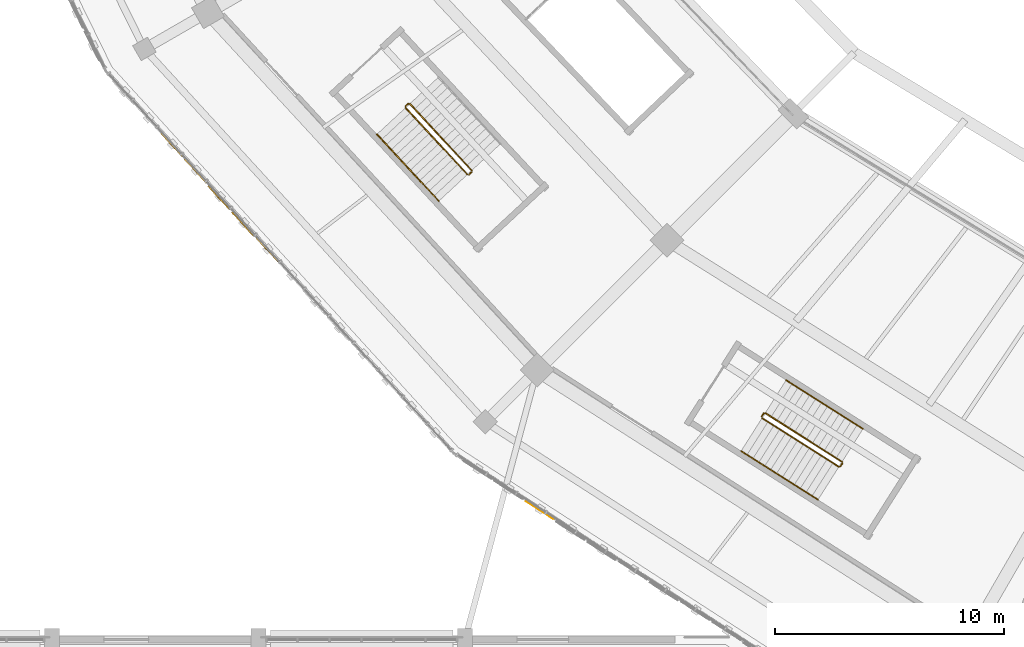
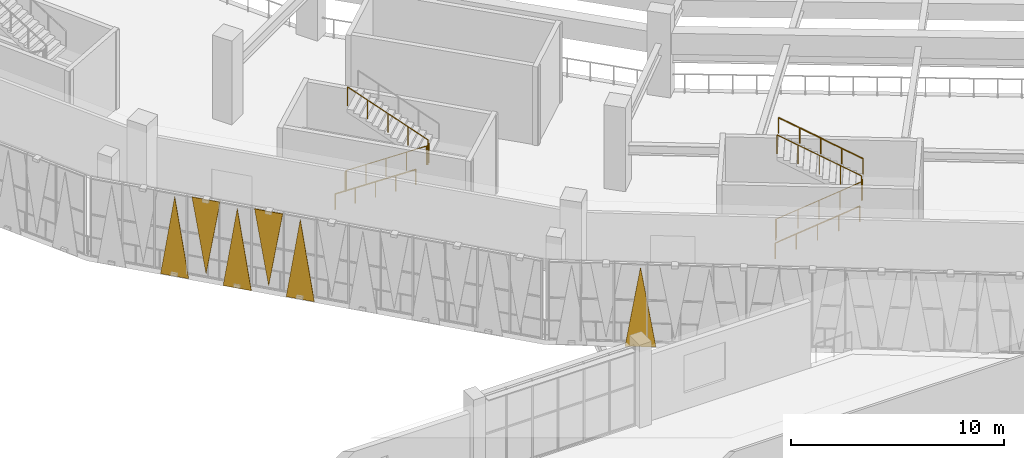
# One storey, part 129 of 179: 11 railings, 6 coverings.
"""IFC4 building model written with IfcOpenShell, lengths in metres."""

from ifc_helpers import new_model, si_unit, direction, frame, origin, origin_2d, place, context, subcontext, project, spatial, polyline, circle, outline, extrude, material, layer, layer_set, type_object, element, save


model = new_model("IFC4")

# Units and contexts
model_context = context("Model", 3, precision=1e-05, world=origin(), true_north=direction((0.0, 1.0)))
body_context = subcontext(model_context, "Body", "Model", "MODEL_VIEW")
ifc_project = project(units=[si_unit("LENGTHUNIT", "METRE"), si_unit("AREAUNIT", "SQUARE_METRE"), si_unit("VOLUMEUNIT", "CUBIC_METRE"), si_unit("PLANEANGLEUNIT", "RADIAN"), si_unit("MASSUNIT", "GRAM", prefix="KILO")], contexts=[model_context])

# Site, building, storey
site_placement = place(None, origin())
site = spatial("IfcSite", under=ifc_project, at=site_placement, CompositionType="ELEMENT")
building_placement = place(site_placement, origin())
building = spatial("IfcBuilding", under=site, at=building_placement, Name="Zevraka Park Crest Stadium", CompositionType="ELEMENT")
storey_placement = place(building_placement, frame((0.0, 0.0, 10.199951171875)))
storey = spatial("IfcBuildingStorey", under=building, at=storey_placement, Name="L02", CompositionType="ELEMENT", Elevation=10.199951171875)

# Coverings
ifc_material_1 = material(Name="Architectural golden-bronze perforated aluminium", Category="aluminium")
ifc_layer = layer(ifc_material_1, 0.034912109375)
ifc_layer_set = layer_set([ifc_layer], Name="Architectural golden-bronze perforated aluminium")
covering_type = type_object("IfcCoveringType", Name="CLD01", PredefinedType="CLADDING", material=ifc_layer_set)
covering_1_placement = place(storey_placement, frame((31.73291015625, 49.071044921875, -0.239990234375), z_axis=(-0.739525523705, -0.673128495261, 0.000169283236), x_axis=(0.673128504906, -0.739525534301, 0.0)))
element("IfcCovering", 1, at=covering_1_placement, inside=storey, type_object=covering_type, Name="Triangular Golden-Bronze Perforated Cladding L02-14-3", PredefinedType="CLADDING", context=body_context, shape_type="SweptSolid", body=[
    extrude(outline(polyline([(0.0, 0.0), (1.386221890693398, 0.0), (0.6929882508091156, 4.560058659088377), (0.0, 0.0)])), origin(), (0.0, 0.0, -1.0), 0.034912109375),
])
covering_2_placement = place(storey_placement, frame((33.70703125, 46.903076171875, 4.47998046875), z_axis=(-0.739445718619, -0.673216183078, 7.591213e-06), x_axis=(-0.673216183098, 0.73944571864, 0.0)))
element("IfcCovering", 2, at=covering_2_placement, inside=storey, type_object=covering_type, Name="Triangular Golden-Bronze Perforated Cladding L02-14-4", PredefinedType="CLADDING", context=body_context, shape_type="SweptSolid", body=[
    extrude(outline(polyline([(0.0, 0.0), (1.3860413522097383, 0.0), (0.6937104524240771, 4.2600097657477445), (0.0, 0.0)])), origin(), (0.0, 0.0, -1.0), 0.034912109375),
])
covering_3_placement = place(storey_placement, frame((33.81494140625, 46.784912109375, -0.239990234375), z_axis=(0.739445710181, 0.673216175396, 0.000151264791), x_axis=(0.673216183098, -0.73944571864, 0.0)))
element("IfcCovering", 3, at=covering_3_placement, inside=storey, type_object=covering_type, Name="Triangular Golden-Bronze Perforated Cladding L02-14-5", PredefinedType="CLADDING", context=body_context, shape_type="SweptSolid", body=[
    extrude(outline(polyline([(0.0, 0.0), (1.3860413522097383, 0.0), (0.693053014745271, -4.560058645919435), (0.0, 0.0)])), origin(), (0.0, 0.0, -1.0), 0.034912109375),
])
covering_4_placement = place(storey_placement, frame((35.7880859375, 44.615966796875, 4.47998046875), z_axis=(0.739525526779, 0.673128498059, 0.000142629595), x_axis=(-0.673128504906, 0.739525534301, 0.0)))
element("IfcCovering", 4, at=covering_4_placement, inside=storey, type_object=covering_type, Name="Triangular Golden-Bronze Perforated Cladding L02-14-6", PredefinedType="CLADDING", context=body_context, shape_type="SweptSolid", body=[
    extrude(outline(polyline([(0.0, 0.0), (1.386221890693398, -1.3552527156068805e-20), (0.6930530916581348, -4.260009808956119), (0.0, 0.0)])), origin(), (0.0, 0.0, -1.0), 0.034912109375),
])
covering_5_placement = place(storey_placement, frame((35.89599609375, 44.498046875, -0.239990234375), z_axis=(-0.739525523705, -0.673128495261, 0.000169283236), x_axis=(0.673128504906, -0.739525534301, 0.0)))
element("IfcCovering", 5, at=covering_5_placement, inside=storey, type_object=covering_type, Name="Triangular Golden-Bronze Perforated Cladding L02-14-7", PredefinedType="CLADDING", context=body_context, shape_type="SweptSolid", body=[
    extrude(outline(polyline([(0.0, 0.0), (1.386221890693398, 0.0), (0.6929882508091156, 4.560058659088377), (0.0, 0.0)])), origin(), (0.0, 0.0, -1.0), 0.034912109375),
])
covering_6_placement = place(storey_placement, frame((47.634033203125, 33.031982421875, -0.239990234375), z_axis=(-0.543285997877, -0.839547690307, 1.4543474e-05), x_axis=(0.839547690396, -0.543285997934, 0.0)))
element("IfcCovering", 6, at=covering_6_placement, inside=storey, type_object=covering_type, Name="Triangular Golden-Bronze Perforated Cladding L02-15-3", PredefinedType="CLADDING", context=body_context, shape_type="SweptSolid", body=[
    extrude(outline(polyline([(0.0, 0.0), (1.457781335266565, 1.6940658945086007e-21), (0.7289931514822077, 4.560058594232255), (0.0, 0.0)])), origin(), (0.0, 0.0, -1.0), 0.034912109375),
])

# Railings
ifc_material_2 = material(Name="Powder-coated tubular steel stairwell guard", Category="steel")
railing_type_1 = type_object("IfcRailingType", Name="GR03", PredefinedType="GUARDRAIL", material=ifc_material_2)
railing_1_placement = place(storey_placement, frame((42.410400390625, 50.18212890625, 0.17138671875)))
element("IfcRailing", 7, at=railing_1_placement, inside=storey, type_object=railing_type_1, Name="L02 ST15 stair guard 1", PredefinedType="GUARDRAIL", context=body_context, shape_type="SweptSolid", body=[
    extrude(circle(Radius=0.02392578125, at=origin_2d()), frame((0.0, 0.0, 1.076171875), z_axis=(0.593000427987, -0.638946152675, 0.489998271822), x_axis=(0.732968909084, 0.680262139412, 0.0)), (0.0, 0.0, 1.0), 4.548583984375),
    extrude(circle(Radius=0.02099609375, at=origin_2d()), origin(), (0.0, 0.0, 1.0), 1.052001953125),
    extrude(circle(Radius=0.02099609375, at=origin_2d()), frame((0.67431640625, -0.7265625, 0.55712890625)), (0.0, 0.0, 1.0), 1.052001953125),
    extrude(circle(Radius=0.02099609375, at=origin_2d()), frame((1.3486328125, -1.453125, 1.1142578125)), (0.0, 0.0, 1.0), 1.052001953125),
    extrude(circle(Radius=0.02099609375, at=origin_2d()), frame((2.02294921875, -2.1796875, 1.671630859375)), (0.0, 0.0, 1.0), 1.052001953125),
    extrude(circle(Radius=0.02099609375, at=origin_2d()), frame((2.697265625, -2.90625, 2.228759765625)), (0.0, 0.0, 1.0), 1.052001953125),
])
railing_2_placement = place(storey_placement, frame((45.17822265625, 47.273193359375, 2.400146484375)))
element("IfcRailing", 8, at=railing_2_placement, inside=storey, type_object=railing_type_1, Name="L02 ST15 stair guard 2", PredefinedType="GUARDRAIL", context=body_context, shape_type="SweptSolid", body=[
    extrude(circle(Radius=0.02392578125, at=origin_2d()), frame((0.0, 0.0, 1.076171875), z_axis=(0.732576022975, 0.680685221348, 0.0), x_axis=(-0.680685221348, 0.732576022975, 0.0)), (0.0, 0.0, 1.0), 0.159912109375),
    extrude(circle(Radius=0.02099609375, at=origin_2d()), origin(), (0.0, 0.0, 1.0), 1.052001953125),
    extrude(circle(Radius=0.02099609375, at=origin_2d()), frame((0.1171875, 0.10888671875, 0.0)), (0.0, 0.0, 1.0), 1.052001953125),
])
railing_3_placement = place(storey_placement, frame((45.298095703125, 47.45263671875, 2.571533203125)))
element("IfcRailing", 9, at=railing_3_placement, inside=storey, type_object=railing_type_1, Name="L02 ST15 stair guard 3", PredefinedType="GUARDRAIL", context=body_context, shape_type="SweptSolid", body=[
    extrude(circle(Radius=0.02392578125, at=origin_2d()), frame((0.0, 0.0, 1.076171875), z_axis=(-0.593016024023, 0.638962957094, 0.489957482557), x_axis=(-0.732968909084, -0.680262139412, 0.0)), (0.0, 0.0, 1.0), 4.54833984375),
    extrude(circle(Radius=0.02099609375, at=origin_2d()), origin(), (0.0, 0.0, 1.0), 1.052001953125),
    extrude(circle(Radius=0.02099609375, at=origin_2d()), frame((-0.67431640625, 0.7265625, 0.55712890625)), (0.0, 0.0, 1.0), 1.052001953125),
    extrude(circle(Radius=0.02099609375, at=origin_2d()), frame((-1.3486328125, 1.453125, 1.1142578125)), (0.0, 0.0, 1.0), 1.052001953125),
    extrude(circle(Radius=0.02099609375, at=origin_2d()), frame((-2.02294921875, 2.1796875, 1.67138671875)), (0.0, 0.0, 1.0), 1.052001953125),
    extrude(circle(Radius=0.02099609375, at=origin_2d()), frame((-2.697265625, 2.90625, 2.228515625)), (0.0, 0.0, 1.0), 1.052001953125),
])
railing_4_placement = place(storey_placement, frame((42.4130859375, 50.252685546875, 0.0)))
element("IfcRailing", 10, at=railing_4_placement, inside=storey, type_object=railing_type_1, Name="L02 ST15 stair guard 4", PredefinedType="GUARDRAIL", context=body_context, shape_type="SweptSolid", body=[
    extrude(circle(Radius=0.02392578125, at=origin_2d()), frame((0.0, 0.0, 1.076171875), z_axis=(0.732576022975, 0.680685221348, 0.0), x_axis=(-0.680685221348, 0.732576022975, 0.0)), (0.0, 0.0, 1.0), 0.159912109375),
    extrude(circle(Radius=0.02099609375, at=origin_2d()), origin(), (0.0, 0.0, 1.0), 1.052001953125),
    extrude(circle(Radius=0.02099609375, at=origin_2d()), frame((0.1171875, 0.10888671875, 0.0)), (0.0, 0.0, 1.0), 1.052001953125),
])
railing_5_placement = place(storey_placement, frame((57.952392578125, 36.657470703125, 0.17138671875)))
element("IfcRailing", 11, at=railing_5_placement, inside=storey, type_object=railing_type_1, Name="L02 ST16 stair guard 1", PredefinedType="GUARDRAIL", context=body_context, shape_type="SweptSolid", body=[
    extrude(circle(Radius=0.02392578125, at=origin_2d()), frame((0.0, 0.0, 1.076171875), z_axis=(0.736079000385, -0.467013517745, 0.489985795137), x_axis=(0.53573158449, 0.844388340386, 0.0)), (0.0, 0.0, 1.0), 4.548583984375),
    extrude(circle(Radius=0.02099609375, at=origin_2d()), origin(), (0.0, 0.0, 1.0), 1.052001953125),
    extrude(circle(Radius=0.02099609375, at=origin_2d()), frame((0.8369140625, -0.531005859375, 0.55712890625)), (0.0, 0.0, 1.0), 1.052001953125),
    extrude(circle(Radius=0.02099609375, at=origin_2d()), frame((1.674072265625, -1.06201171875, 1.1142578125)), (0.0, 0.0, 1.0), 1.052001953125),
    extrude(circle(Radius=0.02099609375, at=origin_2d()), frame((2.51123046875, -1.59326171875, 1.671630859375)), (0.0, 0.0, 1.0), 1.052001953125),
    extrude(circle(Radius=0.02099609375, at=origin_2d()), frame((3.34814453125, -2.124267578125, 2.228759765625)), (0.0, 0.0, 1.0), 1.052001953125),
])
railing_6_placement = place(storey_placement, frame((61.36962890625, 34.548828125, 2.400146484375)))
element("IfcRailing", 12, at=railing_6_placement, inside=storey, type_object=railing_type_1, Name="L02 ST16 stair guard 2", PredefinedType="GUARDRAIL", context=body_context, shape_type="SweptSolid", body=[
    extrude(circle(Radius=0.02392578125, at=origin_2d()), frame((0.0, 0.0, 1.076171875), z_axis=(0.535887230789, 0.844289568736, 0.0), x_axis=(-0.844289568736, 0.535887230789, 0.0)), (0.0, 0.0, 1.0), 0.159912109375),
    extrude(circle(Radius=0.02099609375, at=origin_2d()), origin(), (0.0, 0.0, 1.0), 1.052001953125),
    extrude(circle(Radius=0.02099609375, at=origin_2d()), frame((0.085693359375, 0.135009765625, 0.0)), (0.0, 0.0, 1.0), 1.052001953125),
])
railing_7_placement = place(storey_placement, frame((61.43994140625, 34.7529296875, 2.571533203125)))
element("IfcRailing", 13, at=railing_7_placement, inside=storey, type_object=railing_type_1, Name="L02 ST16 stair guard 3", PredefinedType="GUARDRAIL", context=body_context, shape_type="SweptSolid", body=[
    extrude(circle(Radius=0.02392578125, at=origin_2d()), frame((0.0, 0.0, 1.076171875), z_axis=(-0.736116810277, 0.466983830349, 0.48995728775), x_axis=(-0.535687682518, -0.84441619288, 0.0)), (0.0, 0.0, 1.0), 4.54833984375),
    extrude(circle(Radius=0.02099609375, at=origin_2d()), origin(), (0.0, 0.0, 1.0), 1.052001953125),
    extrude(circle(Radius=0.02099609375, at=origin_2d()), frame((-0.8369140625, 0.531005859375, 0.55712890625)), (0.0, 0.0, 1.0), 1.052001953125),
    extrude(circle(Radius=0.02099609375, at=origin_2d()), frame((-1.674072265625, 1.06201171875, 1.1142578125)), (0.0, 0.0, 1.0), 1.052001953125),
    extrude(circle(Radius=0.02099609375, at=origin_2d()), frame((-2.51123046875, 1.593017578125, 1.67138671875)), (0.0, 0.0, 1.0), 1.052001953125),
    extrude(circle(Radius=0.02099609375, at=origin_2d()), frame((-3.34814453125, 2.1240234375, 2.228515625)), (0.0, 0.0, 1.0), 1.052001953125),
])
railing_8_placement = place(storey_placement, frame((57.93701171875, 36.726318359375, 0.0)))
element("IfcRailing", 14, at=railing_8_placement, inside=storey, type_object=railing_type_1, Name="L02 ST16 stair guard 4", PredefinedType="GUARDRAIL", context=body_context, shape_type="SweptSolid", body=[
    extrude(circle(Radius=0.02392578125, at=origin_2d()), frame((0.0, 0.0, 1.076171875), z_axis=(0.535197175111, 0.844727165275, 0.0), x_axis=(-0.844727165275, 0.535197175111, 0.0)), (0.0, 0.0, 1.0), 0.16015625),
    extrude(circle(Radius=0.02099609375, at=origin_2d()), origin(), (0.0, 0.0, 1.0), 1.052001953125),
    extrude(circle(Radius=0.02099609375, at=origin_2d()), frame((0.085693359375, 0.13525390625, 0.0)), (0.0, 0.0, 1.0), 1.052001953125),
])
ifc_material_3 = material(Name="Brushed stainless steel continuous handrail", Category="steel")
railing_type_2 = type_object("IfcRailingType", Name="HR01", PredefinedType="HANDRAIL", material=ifc_material_3)
railing_9_placement = place(storey_placement, frame((41.164306640625, 49.025634765625, 0.17138671875)))
element("IfcRailing", 15, at=railing_9_placement, inside=storey, type_object=railing_type_2, Name="L02 ST15 stair handrail 1", PredefinedType="HANDRAIL", context=body_context, shape_type="SweptSolid", body=[
    extrude(circle(Radius=0.02392578125, at=origin_2d()), frame((0.0, 0.0, 0.8759765625), z_axis=(0.593000427987, -0.638946152675, 0.489998271822), x_axis=(0.732968909084, 0.680262139412, 0.0)), (0.0, 0.0, 1.0), 4.548583984375),
    extrude(circle(Radius=0.02099609375, at=origin_2d()), origin(), (0.0, 0.0, 1.0), 0.851806640625),
    extrude(circle(Radius=0.02099609375, at=origin_2d()), frame((0.67431640625, -0.7265625, 0.55712890625)), (0.0, 0.0, 1.0), 0.851806640625),
    extrude(circle(Radius=0.02099609375, at=origin_2d()), frame((1.3486328125, -1.453125, 1.1142578125)), (0.0, 0.0, 1.0), 0.851806640625),
    extrude(circle(Radius=0.02099609375, at=origin_2d()), frame((2.02294921875, -2.1796875, 1.671630859375)), (0.0, 0.0, 1.0), 0.851806640625),
    extrude(circle(Radius=0.02099609375, at=origin_2d()), frame((2.697265625, -2.90625, 2.228759765625)), (0.0, 0.0, 1.0), 0.851806640625),
])
railing_10_placement = place(storey_placement, frame((57.041748046875, 35.221923828125, 0.17138671875)))
element("IfcRailing", 16, at=railing_10_placement, inside=storey, type_object=railing_type_2, Name="L02 ST16 stair handrail 1", PredefinedType="HANDRAIL", context=body_context, shape_type="SweptSolid", body=[
    extrude(circle(Radius=0.02392578125, at=origin_2d()), frame((0.0, 0.0, 0.8759765625), z_axis=(0.736097450774, -0.466971548909, 0.48999807701), x_axis=(0.535687682518, 0.84441619288, 0.0)), (0.0, 0.0, 1.0), 4.548583984375),
    extrude(circle(Radius=0.02099609375, at=origin_2d()), origin(), (0.0, 0.0, 1.0), 0.851806640625),
    extrude(circle(Radius=0.02099609375, at=origin_2d()), frame((0.8369140625, -0.531005859375, 0.55712890625)), (0.0, 0.0, 1.0), 0.851806640625),
    extrude(circle(Radius=0.02099609375, at=origin_2d()), frame((1.674072265625, -1.06201171875, 1.1142578125)), (0.0, 0.0, 1.0), 0.851806640625),
    extrude(circle(Radius=0.02099609375, at=origin_2d()), frame((2.51123046875, -1.593017578125, 1.671630859375)), (0.0, 0.0, 1.0), 0.851806640625),
    extrude(circle(Radius=0.02099609375, at=origin_2d()), frame((3.34814453125, -2.1240234375, 2.228759765625)), (0.0, 0.0, 1.0), 0.851806640625),
])
railing_11_placement = place(storey_placement, frame((62.3505859375, 36.188232421875, 2.571533203125)))
element("IfcRailing", 17, at=railing_11_placement, inside=storey, type_object=railing_type_2, Name="L02 ST16 stair handrail 2", PredefinedType="HANDRAIL", context=body_context, shape_type="SweptSolid", body=[
    extrude(circle(Radius=0.02392578125, at=origin_2d()), frame((0.0, 0.0, 0.8759765625), z_axis=(-0.736098358432, 0.467025799673, 0.489945006254), x_axis=(-0.53573158449, -0.844388340386, 0.0)), (0.0, 0.0, 1.0), 4.548583984375),
    extrude(circle(Radius=0.02099609375, at=origin_2d()), origin(), (0.0, 0.0, 1.0), 0.851806640625),
    extrude(circle(Radius=0.02099609375, at=origin_2d()), frame((-0.8369140625, 0.531005859375, 0.55712890625)), (0.0, 0.0, 1.0), 0.851806640625),
    extrude(circle(Radius=0.02099609375, at=origin_2d()), frame((-1.674072265625, 1.06201171875, 1.1142578125)), (0.0, 0.0, 1.0), 0.851806640625),
    extrude(circle(Radius=0.02099609375, at=origin_2d()), frame((-2.51123046875, 1.59326171875, 1.67138671875)), (0.0, 0.0, 1.0), 0.851806640625),
    extrude(circle(Radius=0.02099609375, at=origin_2d()), frame((-3.34814453125, 2.124267578125, 2.228515625)), (0.0, 0.0, 1.0), 0.851806640625),
])

save(model, "model.ifc")
